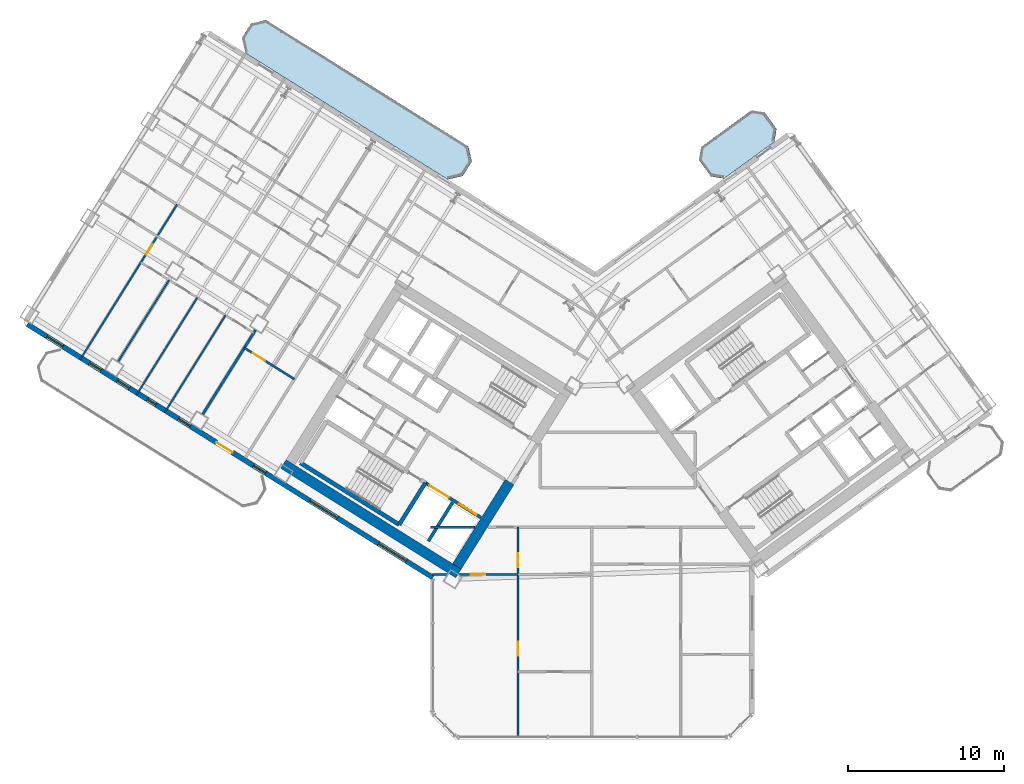
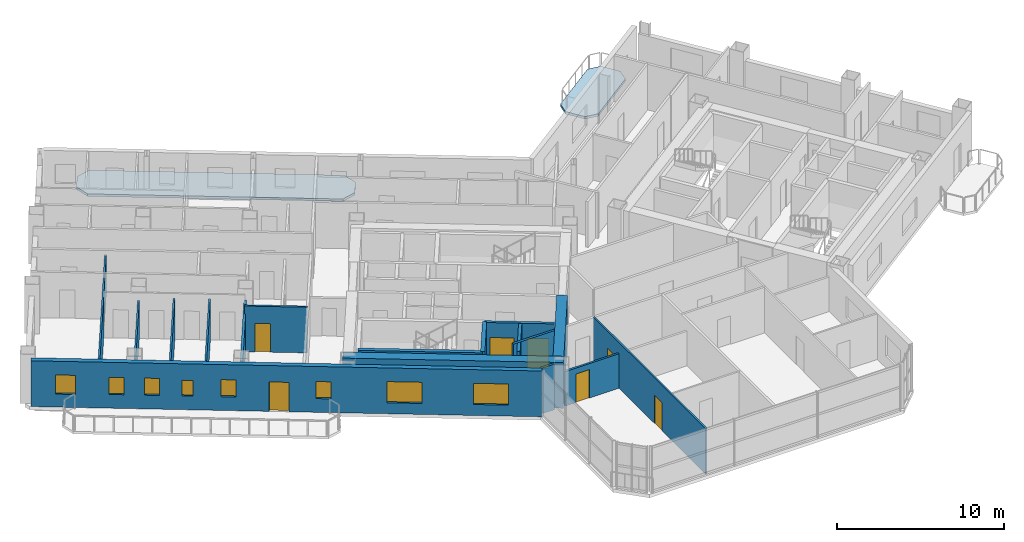
# One storey, part 11 of 21: 17 walls, 8 doors, 8 windows, 2 slabs, 16 openings.
"""IFC4 building model written with IfcOpenShell, lengths in metres."""

from ifc_helpers import new_model, si_unit, direction, frame, frame_2d, origin, place, context, subcontext, project, spatial, polyline, rectangle, outline, extrude, source, transform, mapped, material, layer, layer_set, type_object, element, fill, save


model = new_model("IFC4")

# Units and contexts
model_context = context("Model", 3, precision=1e-05, world=origin(), true_north=direction((0.0, 1.0)))
body_context = subcontext(model_context, "Body", "Model", "MODEL_VIEW")
ifc_project = project(units=[si_unit("LENGTHUNIT", "METRE"), si_unit("AREAUNIT", "SQUARE_METRE"), si_unit("VOLUMEUNIT", "CUBIC_METRE"), si_unit("PLANEANGLEUNIT", "RADIAN"), si_unit("MASSUNIT", "GRAM", prefix="KILO")], contexts=[model_context])

# Site, building, storey
site_placement = place(None, origin())
site = spatial("IfcSite", under=ifc_project, at=site_placement, CompositionType="ELEMENT")
building_placement = place(site_placement, origin())
building = spatial("IfcBuilding", under=site, at=building_placement, Name="Tlacorven Tower", CompositionType="ELEMENT")
storey_placement = place(building_placement, frame((0.0, 0.0, 93.60009765625)))
storey = spatial("IfcBuildingStorey", under=building, at=storey_placement, Name="L23", CompositionType="ELEMENT", Elevation=93.60009765625)

# Slabs
ifc_material_1 = material(Name="Precast concrete C45/55", Category="concrete")
ifc_layer_1 = layer(ifc_material_1, 0.179931640625)
ifc_layer_set_1 = layer_set([ifc_layer_1], Name="Precast concrete C45/55")
slab_type = type_object("IfcSlabType", Name="SL-BAL-180", PredefinedType="USERDEFINED", material=ifc_layer_set_1)
slab_1_placement = place(storey_placement, frame((0.0, 0.0, -0.18017578125)))
element("IfcSlab", 1, at=slab_1_placement, inside=storey, type_object=slab_type, Name="L23 West Wing Balcony Ribbon IN", ObjectType="BALCONY SLAB", PredefinedType="USERDEFINED", context=body_context, shape_type="SweptSolid", body=[
    extrude(outline(polyline([(34.0419921875, 39.835693359375), (21.06689453125, 47.943359375), (20.102294921875, 47.720703125), (19.52197265625, 46.7919921875), (19.744873046875, 45.827392578125), (32.719970703125, 37.7197265625), (33.6845703125, 37.9423828125), (34.2646484375, 38.87109375), (34.0419921875, 39.835693359375)])), origin(), (0.0, 0.0, 1.0), 0.18017578125),
])
slab_2_placement = place(storey_placement, frame((0.0, 0.0, -0.18017578125)))
element("IfcSlab", 2, at=slab_2_placement, inside=storey, type_object=slab_type, Name="L23 East Wing Balcony Ribbon IN", ObjectType="BALCONY SLAB", PredefinedType="USERDEFINED", context=body_context, shape_type="SweptSolid", body=[
    extrude(outline(polyline([(50.433837890625, 37.77880859375), (53.669921875, 40.1298828125), (53.802490234375, 40.968017578125), (53.04150390625, 42.015625), (52.203369140625, 42.1484375), (48.96728515625, 39.79736328125), (48.83447265625, 38.959228515625), (49.595703125, 37.91162109375), (50.433837890625, 37.77880859375)])), origin(), (0.0, 0.0, 1.0), 0.18017578125),
])

# Walls
ifc_material_2 = material(Name="Concrete C60/75", Category="concrete")
ifc_layer_2 = layer(ifc_material_2, 0.64990234375)
ifc_layer_set_2 = layer_set([ifc_layer_2], Name="Concrete C60/75")
wall_type_1 = type_object("IfcWallType", Name="WL-COR-650", PredefinedType="SHEAR", material=ifc_layer_set_2)
wall_1_placement = place(storey_placement, frame((33.40869140625, 12.449951171875, 0.0), z_axis=(0.0, 0.0, 1.0), x_axis=(-0.848051132073, 0.529914405721, 0.0)))
element("IfcWall", 3, at=wall_1_placement, inside=storey, type_object=wall_type_1, Name="L23 W core shear wall S2", PredefinedType="SHEAR", context=body_context, shape_type="SweptSolid", body=[
    extrude(rectangle(XDim=13.239990234375, YDim=0.64990234375, at=frame_2d((6.6201171875, 0.0))), origin(), (0.0, 0.0, 1.0), 3.349853515625),
])
wall_2_placement = place(storey_placement, frame((36.683349609375, 18.30419921875, 0.0), z_axis=(0.0, 0.0, 1.0), x_axis=(-0.529899109053, -0.848060690178, 0.0)))
element("IfcWall", 4, at=wall_2_placement, inside=storey, type_object=wall_type_1, Name="L23 W core end wall E1.2", PredefinedType="SHEAR", context=body_context, shape_type="SweptSolid", body=[
    extrude(rectangle(XDim=6.375244140625, YDim=0.64990234375, at=frame_2d((3.1875, 0.0))), origin(), (0.0, 0.0, 1.0), 3.349853515625),
])
ifc_material_3 = material(Name="Gypsum plasterboard acoustic partition", Category="gypsum")
ifc_layer_3 = layer(ifc_material_3, 0.159912109375)
ifc_layer_set_3 = layer_set([ifc_layer_3], Name="Gypsum plasterboard acoustic partition")
wall_type_2 = type_object("IfcWallType", Name="WL-DEM-160", PredefinedType="PARTITIONING", material=ifc_layer_set_3)
wall_3_placement = place(storey_placement, frame((20.38720703125, 28.060302734375, 0.0), z_axis=(0.0, 0.0, 1.0), x_axis=(-0.529902564924, -0.848058530814, 0.0)))
element("IfcWall", 5, at=wall_3_placement, inside=storey, type_object=wall_type_2, Name="L23 WN Demising Wall 1", PredefinedType="PARTITIONING", context=body_context, shape_type="SweptSolid", body=[
    extrude(rectangle(XDim=6.3759765625, YDim=0.159912109375, at=frame_2d((3.18798828125, 0.0))), origin(), (0.0, 0.0, 1.0), 2.77490234375),
])
wall_4_placement = place(storey_placement, frame((31.60009765625, 15.419921875, 0.0), z_axis=(0.0, 0.0, 1.0), x_axis=(1.0, 0.0, 0.0)))
element("IfcWall", 6, at=wall_4_placement, inside=storey, type_object=wall_type_2, Name="L23 Knuckle Corridor South Wall", PredefinedType="PARTITIONING", context=body_context, shape_type="SweptSolid", body=[
    extrude(rectangle(XDim=2.8662109375, YDim=0.159912109375, at=frame_2d((1.43310546875, 0.0))), origin(), (0.0, 0.0, 1.0), 3.33984375),
])

# Wall, openings, door, windows
ifc_layer_4 = layer(ifc_material_1, 0.320068359375)
ifc_layer_set_4 = layer_set([ifc_layer_4], Name="Precast concrete C45/55")
wall_type_3 = type_object("IfcWallType", Name="WL-EXT-320", PredefinedType="STANDARD", material=ifc_layer_set_4)
wall_5_placement = place(storey_placement, frame((31.760009765625, 12.18310546875, 0.0), z_axis=(0.0, 0.0, 1.0), x_axis=(-0.848047074256, 0.529920899612, 0.0)))
wall_5 = element("IfcWall", 7, at=wall_5_placement, inside=storey, type_object=wall_type_3, Name="L23 Masonry-Frame Recessed Facade Wall 1", PredefinedType="STANDARD", context=body_context, shape_type="SweptSolid", body=[
    extrude(rectangle(XDim=30.652099609375, YDim=0.320068359375, at=frame_2d((15.326171875, 0.0))), origin(), (0.0, 0.0, 1.0), 3.349853515625),
])
opening_1_placement = place(wall_5_placement, frame((15.1533203125, 0.0, 0.0)))
opening_1 = element("IfcOpeningElement", 8, at=opening_1_placement, cuts=wall_5, Name="Opening D05", PredefinedType="OPENING", context=body_context, shape_type="SweptSolid", body=[
    extrude(rectangle(XDim=1.199951171875, YDim=2.14990234375, at=frame_2d((0.60009765625, 1.074951171875))), frame((0.0, 0.169921875, 0.0), z_axis=(0.0, -1.0, 0.0), x_axis=(1.0, 0.0, 0.0)), (0.0, 0.0, 1.0), 0.340087890625),
])
opening_2_placement = place(wall_5_placement, frame((2.002197265625, 0.0, 0.800048828125)))
opening_2 = element("IfcOpeningElement", 9, at=opening_2_placement, cuts=wall_5, Name="Opening WN04", PredefinedType="OPENING", context=body_context, shape_type="SweptSolid", body=[
    extrude(rectangle(XDim=2.10009765625, YDim=1.550048828125, at=frame_2d((1.050048828125, 0.77490234375))), frame((0.0, 0.169921875, 0.0), z_axis=(0.0, -1.0, 0.0), x_axis=(1.0, 0.0, 0.0)), (0.0, 0.0, 1.0), 0.340087890625),
])
opening_3_placement = place(wall_5_placement, frame((7.206298828125, 0.0, 0.800048828125)))
opening_3 = element("IfcOpeningElement", 10, at=opening_3_placement, cuts=wall_5, Name="Opening WN04", PredefinedType="OPENING", context=body_context, shape_type="SweptSolid", body=[
    extrude(rectangle(XDim=2.10009765625, YDim=1.550048828125, at=frame_2d((1.050048828125, 0.77490234375))), frame((0.0, 0.169921875, 0.0), z_axis=(0.0, -1.0, 0.0), x_axis=(1.0, 0.0, 0.0)), (0.0, 0.0, 1.0), 0.340087890625),
])
opening_4_placement = place(wall_5_placement, frame((12.648193359375, 0.0, 1.0)))
opening_4 = element("IfcOpeningElement", 11, at=opening_4_placement, cuts=wall_5, Name="Opening WN05", PredefinedType="OPENING", context=body_context, shape_type="SweptSolid", body=[
    extrude(rectangle(XDim=0.89990234375, YDim=1.25, at=frame_2d((0.449951171875, 0.625))), frame((0.0, 0.169921875, 0.0), z_axis=(0.0, -1.0, 0.0), x_axis=(1.0, 0.0, 0.0)), (0.0, 0.0, 1.0), 0.340087890625),
])
opening_5_placement = place(wall_5_placement, frame((27.974365234375, 0.0, 0.949951171875)))
opening_5 = element("IfcOpeningElement", 12, at=opening_5_placement, cuts=wall_5, Name="Opening WN03", PredefinedType="OPENING", context=body_context, shape_type="SweptSolid", body=[
    extrude(rectangle(XDim=1.199951171875, YDim=1.39990234375, at=frame_2d((0.60009765625, 0.699951171875))), frame((0.0, 0.169921875, 0.0), z_axis=(0.0, -1.0, 0.0), x_axis=(1.0, 0.0, 0.0)), (0.0, 0.0, 1.0), 0.340087890625),
])
opening_6_placement = place(wall_5_placement, frame((18.3466796875, 0.0, 1.0)))
opening_6 = element("IfcOpeningElement", 13, at=opening_6_placement, cuts=wall_5, Name="Opening WN05", PredefinedType="OPENING", context=body_context, shape_type="SweptSolid", body=[
    extrude(rectangle(XDim=0.89990234375, YDim=1.25, at=frame_2d((0.449951171875, 0.625))), frame((0.0, 0.169921875, 0.0), z_axis=(0.0, -1.0, 0.0), x_axis=(1.0, 0.0, 0.0)), (0.0, 0.0, 1.0), 0.340087890625),
])
opening_7_placement = place(wall_5_placement, frame((20.931396484375, 0.0, 1.0)))
opening_7 = element("IfcOpeningElement", 14, at=opening_7_placement, cuts=wall_5, Name="Opening WN21", PredefinedType="OPENING", context=body_context, shape_type="SweptSolid", body=[
    extrude(rectangle(XDim=0.64990234375, YDim=1.14990234375, at=frame_2d((0.324951171875, 0.574951171875))), frame((0.0, 0.169921875, 0.0), z_axis=(0.0, -1.0, 0.0), x_axis=(1.0, 0.0, 0.0)), (0.0, 0.0, 1.0), 0.340087890625),
])
opening_8_placement = place(wall_5_placement, frame((22.937744140625, 0.0, 1.0)))
opening_8 = element("IfcOpeningElement", 15, at=opening_8_placement, cuts=wall_5, Name="Opening WN05", PredefinedType="OPENING", context=body_context, shape_type="SweptSolid", body=[
    extrude(rectangle(XDim=0.89990234375, YDim=1.25, at=frame_2d((0.449951171875, 0.625))), frame((0.0, 0.169921875, 0.0), z_axis=(0.0, -1.0, 0.0), x_axis=(1.0, 0.0, 0.0)), (0.0, 0.0, 1.0), 0.340087890625),
])
opening_9_placement = place(wall_5_placement, frame((25.0693359375, 0.0, 1.0)))
opening_9 = element("IfcOpeningElement", 16, at=opening_9_placement, cuts=wall_5, Name="Opening WN05", PredefinedType="OPENING", context=body_context, shape_type="SweptSolid", body=[
    extrude(rectangle(XDim=0.89990234375, YDim=1.25, at=frame_2d((0.449951171875, 0.625))), frame((0.0, 0.169921875, 0.0), z_axis=(0.0, -1.0, 0.0), x_axis=(1.0, 0.0, 0.0)), (0.0, 0.0, 1.0), 0.340087890625),
])
ifc_material_4 = material(Name="Powder-coated aluminium and timber door", Category="wood")
door_type_1 = type_object("IfcDoorType", Name="DR-EXT-BALC-1200", OperationType="NOTDEFINED", PredefinedType="DOOR", material=ifc_material_4)
shared_shape_1 = source(origin(), body_context, "Body", "SweptSolid", [
    extrude(rectangle(XDim=1.199951171875, YDim=2.14990234375, at=frame_2d((0.60009765625, 1.074951171875))), frame((0.0, 0.02490234375, 0.0), z_axis=(0.0, -1.0, 0.0), x_axis=(1.0, 0.0, 0.0)), (0.0, 0.0, 1.0), 0.050048828125),
])
door_1_placement = place(opening_1_placement, origin())
door_1 = element("IfcDoor", 17, at=door_1_placement, inside=storey, type_object=door_type_1, Name="L23 Outdoor Access Door BAL-L23-W-OUT", OperationType="SINGLE_SWING_LEFT", OverallHeight=2.14990234375, OverallWidth=1.199951171875, PredefinedType="DOOR", context=body_context, shape_type="MappedRepresentation", body=[
    mapped(shared_shape_1, transform((0.0, 0.0, 0.0), scale=1.0)),
])
fill(opening_1, door_1)
ifc_material_5 = material(Name="Dark solar low-E double glazing in anodised aluminium frame", Category="aluminium")
window_type_1 = type_object("IfcWindowType", Name="WN-APT-2100X1750", PartitioningType="SINGLE_PANEL", PredefinedType="WINDOW", material=ifc_material_5)
shared_shape_2 = source(origin(), body_context, "Body", "SweptSolid", [
    extrude(rectangle(XDim=2.10009765625, YDim=1.550048828125, at=frame_2d((1.050048828125, 0.77490234375))), frame((0.0, 0.030029296875, 0.0), z_axis=(0.0, -1.0, 0.0), x_axis=(1.0, 0.0, 0.0)), (0.0, 0.0, 1.0), 0.06005859375),
])
window_1_placement = place(opening_2_placement, origin())
window_1 = element("IfcWindow", 18, at=window_1_placement, inside=storey, type_object=window_type_1, Name="L23 Recessed Masonry-Frame Window L23-01.1", OverallHeight=1.550048828125, OverallWidth=2.10009765625, PartitioningType="SINGLE_PANEL", PredefinedType="WINDOW", context=body_context, shape_type="MappedRepresentation", body=[
    mapped(shared_shape_2, transform((0.0, 0.0, 0.0), scale=1.0)),
])
fill(opening_2, window_1)
window_2_placement = place(opening_3_placement, origin())
window_2 = element("IfcWindow", 19, at=window_2_placement, inside=storey, type_object=window_type_1, Name="L23 Recessed Masonry-Frame Window L23-01.2", OverallHeight=1.550048828125, OverallWidth=2.10009765625, PartitioningType="SINGLE_PANEL", PredefinedType="WINDOW", context=body_context, shape_type="MappedRepresentation", body=[
    mapped(shared_shape_2, transform((0.0, 0.0, 0.0), scale=1.0)),
])
fill(opening_3, window_2)
window_type_2 = type_object("IfcWindowType", Name="WN-APT-1200X1500", PartitioningType="SINGLE_PANEL", PredefinedType="WINDOW", material=ifc_material_5)
shared_shape_3 = source(origin(), body_context, "Body", "SweptSolid", [
    extrude(rectangle(XDim=1.199951171875, YDim=1.39990234375, at=frame_2d((0.60009765625, 0.699951171875))), frame((0.0, 0.030029296875, 0.0), z_axis=(0.0, -1.0, 0.0), x_axis=(1.0, 0.0, 0.0)), (0.0, 0.0, 1.0), 0.06005859375),
])
window_3_placement = place(opening_5_placement, origin())
window_3 = element("IfcWindow", 20, at=window_3_placement, inside=storey, type_object=window_type_2, Name="L23 Recessed Masonry-Frame Window L23-01.4", OverallHeight=1.39990234375, OverallWidth=1.199951171875, PartitioningType="SINGLE_PANEL", PredefinedType="WINDOW", context=body_context, shape_type="MappedRepresentation", body=[
    mapped(shared_shape_3, transform((0.0, 0.0, 0.0), scale=1.0)),
])
fill(opening_5, window_3)
window_type_3 = type_object("IfcWindowType", Name="WN-APT-0900X1350", PartitioningType="SINGLE_PANEL", PredefinedType="WINDOW", material=ifc_material_5)
shared_shape_4 = source(origin(), body_context, "Body", "SweptSolid", [
    extrude(rectangle(XDim=0.89990234375, YDim=1.25, at=frame_2d((0.449951171875, 0.625))), frame((0.0, 0.030029296875, 0.0), z_axis=(0.0, -1.0, 0.0), x_axis=(1.0, 0.0, 0.0)), (0.0, 0.0, 1.0), 0.06005859375),
])
window_4_placement = place(opening_4_placement, origin())
window_4 = element("IfcWindow", 21, at=window_4_placement, inside=storey, type_object=window_type_3, Name="L23 Recessed Masonry-Frame Window L23-01.3", OverallHeight=1.25, OverallWidth=0.89990234375, PartitioningType="SINGLE_PANEL", PredefinedType="WINDOW", context=body_context, shape_type="MappedRepresentation", body=[
    mapped(shared_shape_4, transform((0.0, 0.0, 0.0), scale=1.0)),
])
fill(opening_4, window_4)
window_5_placement = place(opening_6_placement, origin())
window_5 = element("IfcWindow", 22, at=window_5_placement, inside=storey, type_object=window_type_3, Name="L23 Dwelling Daylight Window L23-U02-BD1", OverallHeight=1.25, OverallWidth=0.89990234375, PartitioningType="SINGLE_PANEL", PredefinedType="WINDOW", context=body_context, shape_type="MappedRepresentation", body=[
    mapped(shared_shape_4, transform((0.0, 0.0, 0.0), scale=1.0)),
])
fill(opening_6, window_5)
window_6_placement = place(opening_8_placement, origin())
window_6 = element("IfcWindow", 23, at=window_6_placement, inside=storey, type_object=window_type_3, Name="L23 Dwelling Daylight Window L23-U02-BD3", OverallHeight=1.25, OverallWidth=0.89990234375, PartitioningType="SINGLE_PANEL", PredefinedType="WINDOW", context=body_context, shape_type="MappedRepresentation", body=[
    mapped(shared_shape_4, transform((0.0, 0.0, 0.0), scale=1.0)),
])
fill(opening_8, window_6)
window_7_placement = place(opening_9_placement, origin())
window_7 = element("IfcWindow", 24, at=window_7_placement, inside=storey, type_object=window_type_3, Name="L23 Dwelling Daylight Window L23-U02-BD4", OverallHeight=1.25, OverallWidth=0.89990234375, PartitioningType="SINGLE_PANEL", PredefinedType="WINDOW", context=body_context, shape_type="MappedRepresentation", body=[
    mapped(shared_shape_4, transform((0.0, 0.0, 0.0), scale=1.0)),
])
fill(opening_9, window_7)
window_type_4 = type_object("IfcWindowType", Name="WN-APT-0650X1150", PartitioningType="SINGLE_PANEL", PredefinedType="WINDOW", material=ifc_material_5)
shared_shape_5 = source(origin(), body_context, "Body", "SweptSolid", [
    extrude(rectangle(XDim=0.64990234375, YDim=1.14990234375, at=frame_2d((0.324951171875, 0.574951171875))), frame((0.0, 0.030029296875, 0.0), z_axis=(0.0, -1.0, 0.0), x_axis=(1.0, 0.0, 0.0)), (0.0, 0.0, 1.0), 0.06005859375),
])
window_8_placement = place(opening_7_placement, origin())
window_8 = element("IfcWindow", 25, at=window_8_placement, inside=storey, type_object=window_type_4, Name="L23 Dwelling Daylight Window L23-U02-BD2", OverallHeight=1.14990234375, OverallWidth=0.64990234375, PartitioningType="SINGLE_PANEL", PredefinedType="WINDOW", context=body_context, shape_type="MappedRepresentation", body=[
    mapped(shared_shape_5, transform((0.0, 0.0, 0.0), scale=1.0)),
])
fill(opening_7, window_8)

# Wall, opening, door
ifc_material_6 = material(Name="Gypsum plasterboard partition", Category="gypsum")
ifc_layer_5 = layer(ifc_material_6, 0.110107421875)
ifc_layer_set_5 = layer_set([ifc_layer_5], Name="Gypsum plasterboard partition")
wall_type_4 = type_object("IfcWallType", Name="WL-INT-110", PredefinedType="PARTITIONING", material=ifc_layer_set_5)
wall_6_placement = place(storey_placement, frame((15.361328125, 36.1083984375, 0.0), z_axis=(0.0, 0.0, 1.0), x_axis=(-0.529912802348, -0.848052133956, 0.0)))
wall_6 = element("IfcWall", 26, at=wall_6_placement, inside=storey, type_object=wall_type_4, Name="L23 partition 59", PredefinedType="PARTITIONING", context=body_context, shape_type="SweptSolid", body=[
    extrude(rectangle(XDim=11.7197265625, YDim=0.110107421875, at=frame_2d((5.85986328125, 0.0))), origin(), (0.0, 0.0, 1.0), 2.994873046875),
])
opening_10_placement = place(wall_6_placement, frame((3.0, 0.0, 0.0)))
opening_10 = element("IfcOpeningElement", 27, at=opening_10_placement, cuts=wall_6, Name="Opening D22", PredefinedType="OPENING", context=body_context, shape_type="SweptSolid", body=[
    extrude(rectangle(XDim=0.780029296875, YDim=2.050048828125, at=frame_2d((0.39013671875, 1.02490234375))), frame((0.0, 0.06494140625, 0.0), z_axis=(0.0, -1.0, 0.0), x_axis=(1.0, 0.0, 0.0)), (0.0, 0.0, 1.0), 0.130126953125),
])
door_type_2 = type_object("IfcDoorType", Name="DR-INT-WET-0780", OperationType="NOTDEFINED", PredefinedType="DOOR", material=ifc_material_4)
shared_shape_6 = source(origin(), body_context, "Body", "SweptSolid", [
    extrude(rectangle(XDim=0.780029296875, YDim=2.050048828125, at=frame_2d((0.39013671875, 1.02490234375))), frame((0.0, 0.02490234375, 0.0), z_axis=(0.0, -1.0, 0.0), x_axis=(1.0, 0.0, 0.0)), (0.0, 0.0, 1.0), 0.050048828125),
])
door_2_placement = place(opening_10_placement, origin())
door_2 = element("IfcDoor", 28, at=door_2_placement, inside=storey, type_object=door_type_2, Name="L23 door 029", OperationType="SINGLE_SWING_RIGHT", OverallHeight=2.050048828125, OverallWidth=0.780029296875, PredefinedType="DOOR", context=body_context, shape_type="MappedRepresentation", body=[
    mapped(shared_shape_6, transform((0.0, 0.0, 0.0), scale=1.0)),
])
fill(opening_10, door_2)

# Walls
for number, where, z_axis, x_axis, name in (
    (29, (18.463623046875, 29.005126953125, 0.0), (0.0, 0.0, 1.0), (-0.529927182287, -0.848043148356, 0.0), "L23 partition 65"),
    (30, (16.655517578125, 30.135009765625, 0.0), (0.0, 0.0, 1.0), (-0.529927182287, -0.848043148356, 0.0), "L23 partition 66"),
):
    element("IfcWall", number, at=place(storey_placement, frame(where, z_axis=z_axis, x_axis=x_axis)), inside=storey, type_object=wall_type_4, Name=name, PredefinedType="PARTITIONING", context=body_context, shape_type="SweptSolid", body=[
        extrude(rectangle(XDim=7.340087890625, YDim=0.110107421875, at=frame_2d((3.669921875, 0.0))), origin(), (0.0, 0.0, 1.0), 2.994873046875),
    ])
wall_7_placement = place(storey_placement, frame((14.848388671875, 31.26416015625, 0.0), z_axis=(0.0, 0.0, 1.0), x_axis=(-0.529920534869, -0.848047302174, 0.0)))
element("IfcWall", 31, at=wall_7_placement, inside=storey, type_object=wall_type_4, Name="L23 partition 67", PredefinedType="PARTITIONING", context=body_context, shape_type="SweptSolid", body=[
    extrude(rectangle(XDim=6.157958984375, YDim=0.110107421875, at=frame_2d((3.0791015625, 0.0))), origin(), (0.0, 0.0, 1.0), 2.77490234375),
])

# Wall, openings, doors
wall_8_placement = place(storey_placement, frame((37.221923828125, 1.9599609375, 0.0), z_axis=(0.0, 0.0, 1.0), x_axis=(0.0, 1.0, 0.0)))
wall_8 = element("IfcWall", 32, at=wall_8_placement, inside=storey, type_object=wall_type_4, Name="L23 partition 91", PredefinedType="PARTITIONING", context=body_context, shape_type="SweptSolid", body=[
    extrude(rectangle(XDim=13.4599609375, YDim=0.110107421875, at=frame_2d((6.72998046875, 0.0))), origin(), (0.0, 0.0, 1.0), 3.33984375),
])
opening_11_placement = place(wall_8_placement, frame((5.199951171875, 0.0, 0.0)))
opening_11 = element("IfcOpeningElement", 33, at=opening_11_placement, cuts=wall_8, Name="Opening D12", PredefinedType="OPENING", context=body_context, shape_type="SweptSolid", body=[
    extrude(rectangle(XDim=0.919921875, YDim=2.080078125, at=frame_2d((0.4599609375, 1.0400390625))), frame((0.0, 0.06494140625, 0.0), z_axis=(0.0, -1.0, 0.0), x_axis=(1.0, 0.0, 0.0)), (0.0, 0.0, 1.0), 0.130126953125),
])
opening_12_placement = place(wall_8_placement, frame((10.889892578125, 0.0, 0.0)))
opening_12 = element("IfcOpeningElement", 34, at=opening_12_placement, cuts=wall_8, Name="Opening D13", PredefinedType="OPENING", context=body_context, shape_type="SweptSolid", body=[
    extrude(rectangle(XDim=0.8798828125, YDim=2.080078125, at=frame_2d((0.43994140625, 1.0400390625))), frame((0.0, 0.06494140625, 0.0), z_axis=(0.0, -1.0, 0.0), x_axis=(1.0, 0.0, 0.0)), (0.0, 0.0, 1.0), 0.130126953125),
])
door_type_3 = type_object("IfcDoorType", Name="DR-INT-WET-0880", OperationType="NOTDEFINED", PredefinedType="DOOR", material=ifc_material_4)
shared_shape_7 = source(origin(), body_context, "Body", "SweptSolid", [
    extrude(rectangle(XDim=0.8798828125, YDim=2.080078125, at=frame_2d((0.43994140625, 1.0400390625))), frame((0.0, 0.02490234375, 0.0), z_axis=(0.0, -1.0, 0.0), x_axis=(1.0, 0.0, 0.0)), (0.0, 0.0, 1.0), 0.050048828125),
])
door_3_placement = place(opening_12_placement, origin())
door_3 = element("IfcDoor", 35, at=door_3_placement, inside=storey, type_object=door_type_3, Name="L23 door 058", OperationType="SINGLE_SWING_LEFT", OverallHeight=2.080078125, OverallWidth=0.8798828125, PredefinedType="DOOR", context=body_context, shape_type="MappedRepresentation", body=[
    mapped(shared_shape_7, transform((0.0, 0.0, 0.0), scale=1.0)),
])
fill(opening_12, door_3)
door_type_4 = type_object("IfcDoorType", Name="DR-INT-ROOM-0920", OperationType="NOTDEFINED", PredefinedType="DOOR", material=ifc_material_4)
shared_shape_8 = source(origin(), body_context, "Body", "SweptSolid", [
    extrude(rectangle(XDim=0.919921875, YDim=2.080078125, at=frame_2d((0.4599609375, 1.0400390625))), frame((0.0, 0.02490234375, 0.0), z_axis=(0.0, -1.0, 0.0), x_axis=(1.0, 0.0, 0.0)), (0.0, 0.0, 1.0), 0.050048828125),
])
door_4_placement = place(opening_11_placement, origin())
door_4 = element("IfcDoor", 36, at=door_4_placement, inside=storey, type_object=door_type_4, Name="L23 door 054", OperationType="SINGLE_SWING_LEFT", OverallHeight=2.080078125, OverallWidth=0.919921875, PredefinedType="DOOR", context=body_context, shape_type="MappedRepresentation", body=[
    mapped(shared_shape_8, transform((0.0, 0.0, 0.0), scale=1.0)),
])
fill(opening_11, door_4)

# Wall, opening, door
ifc_material_7 = material(Name="Moisture-resistant gypsum plumbing wall", Category="gypsum")
ifc_layer_6 = layer(ifc_material_7, 0.139892578125)
ifc_layer_set_6 = layer_set([ifc_layer_6], Name="Moisture-resistant gypsum plumbing wall")
wall_type_5 = type_object("IfcWallType", Name="WL-PLM-140", PredefinedType="PLUMBINGWALL", material=ifc_layer_set_6)
wall_9_placement = place(storey_placement, frame((22.886962890625, 24.90869140625, 0.0), z_axis=(0.0, 0.0, 1.0), x_axis=(-0.84803087207, 0.529946827537, 0.0)))
wall_9 = element("IfcWall", 37, at=wall_9_placement, inside=storey, type_object=wall_type_5, Name="L23 partition 57", PredefinedType="PLUMBINGWALL", context=body_context, shape_type="SweptSolid", body=[
    extrude(rectangle(XDim=3.7900390625, YDim=0.139892578125, at=frame_2d((1.89501953125, 0.0))), origin(), (0.0, 0.0, 1.0), 3.33984375),
])
opening_13_placement = place(wall_9_placement, frame((2.22998046875, 0.0, 0.0)))
opening_13 = element("IfcOpeningElement", 38, at=opening_13_placement, cuts=wall_9, Name="Opening D12", PredefinedType="OPENING", context=body_context, shape_type="SweptSolid", body=[
    extrude(rectangle(XDim=0.919921875, YDim=2.080078125, at=frame_2d((0.4599609375, 1.0400390625))), frame((0.0, 0.080078125, 0.0), z_axis=(0.0, -1.0, 0.0), x_axis=(1.0, 0.0, 0.0)), (0.0, 0.0, 1.0), 0.159912109375),
])
door_5_placement = place(opening_13_placement, origin())
door_5 = element("IfcDoor", 39, at=door_5_placement, inside=storey, type_object=door_type_4, Name="L23 door 024", OperationType="SINGLE_SWING_LEFT", OverallHeight=2.080078125, OverallWidth=0.919921875, PredefinedType="DOOR", context=body_context, shape_type="MappedRepresentation", body=[
    mapped(shared_shape_8, transform((0.0, 0.0, 0.0), scale=1.0)),
])
fill(opening_13, door_5)

# Wall
wall_10_placement = place(storey_placement, frame((31.739990234375, 12.389892578125, 0.0), z_axis=(0.0, 0.0, 1.0), x_axis=(1.0, 0.0, 0.0)))
element("IfcWall", 40, at=wall_10_placement, inside=storey, type_object=wall_type_5, Name="L23 partition 92", PredefinedType="PLUMBINGWALL", context=body_context, shape_type="SweptSolid", body=[
    extrude(rectangle(XDim=0.95068359375, YDim=0.139892578125, at=frame_2d((0.475341796875, 0.0))), origin(), (0.0, 0.0, 1.0), 3.33984375),
])

# Wall, opening, door
wall_11_placement = place(storey_placement, frame((33.432861328125, 12.389892578125, 0.0), z_axis=(0.0, 0.0, 1.0), x_axis=(1.0, 0.0, 0.0)))
wall_11 = element("IfcWall", 41, at=wall_11_placement, inside=storey, type_object=wall_type_5, Name="L23 partition 92", PredefinedType="PLUMBINGWALL", context=body_context, shape_type="SweptSolid", body=[
    extrude(rectangle(XDim=3.7890625, YDim=0.139892578125, at=frame_2d((1.89453125, 0.0))), origin(), (0.0, 0.0, 1.0), 2.52490234375),
])
opening_14_placement = place(wall_11_placement, frame((0.76806640625, 0.0, 0.0)))
opening_14 = element("IfcOpeningElement", 42, at=opening_14_placement, cuts=wall_11, Name="Opening D12", PredefinedType="OPENING", context=body_context, shape_type="SweptSolid", body=[
    extrude(rectangle(XDim=0.919921875, YDim=2.080078125, at=frame_2d((0.4599609375, 1.0400390625))), frame((0.0, 0.080078125, 0.0), z_axis=(0.0, -1.0, 0.0), x_axis=(1.0, 0.0, 0.0)), (0.0, 0.0, 1.0), 0.159912109375),
])
door_6_placement = place(opening_14_placement, frame((0.919921875, 0.0, 0.0), z_axis=(0.0, 0.0, 1.0), x_axis=(-1.0, 0.0, 0.0)))
door_6 = element("IfcDoor", 43, at=door_6_placement, inside=storey, type_object=door_type_4, Name="L23 door 057", OperationType="SINGLE_SWING_RIGHT", OverallHeight=2.080078125, OverallWidth=0.919921875, PredefinedType="DOOR", context=body_context, shape_type="MappedRepresentation", body=[
    mapped(shared_shape_8, transform((0.0, 0.0, 0.0), scale=1.0)),
])
fill(opening_14, door_6)

# Wall, openings, doors
ifc_material_8 = material(Name="Concrete C40/50", Category="concrete")
ifc_layer_7 = layer(ifc_material_8, 0.199951171875)
ifc_layer_set_7 = layer_set([ifc_layer_7], Name="Concrete C40/50")
wall_type_6 = type_object("IfcWallType", Name="WL-SHF-200", PredefinedType="STANDARD", material=ifc_layer_set_7)
wall_12_placement = place(storey_placement, frame((34.84814453125, 16.03125, 0.0), z_axis=(0.0, 0.0, 1.0), x_axis=(-0.848044042236, 0.529925751807, 0.0)))
wall_12 = element("IfcWall", 44, at=wall_12_placement, inside=storey, type_object=wall_type_6, Name="L23 Core W Firefighting Lift Shaft Front Wall", PredefinedType="STANDARD", context=body_context, shape_type="SweptSolid", body=[
    extrude(rectangle(XDim=4.197998046875, YDim=0.199951171875, at=frame_2d((2.09912109375, 0.0))), origin(), (0.0, 0.0, 1.0), 3.33984375),
])
opening_15_placement = place(wall_12_placement, frame((0.347900390625, 0.0, 0.0)))
opening_15 = element("IfcOpeningElement", 45, at=opening_15_placement, cuts=wall_12, Name="Opening LD03", PredefinedType="OPENING", context=body_context, shape_type="SweptSolid", body=[
    extrude(rectangle(XDim=1.300048828125, YDim=2.199951171875, at=frame_2d((0.64990234375, 1.10009765625))), frame((0.0, 0.10986328125, 0.0), z_axis=(0.0, -1.0, 0.0), x_axis=(1.0, 0.0, 0.0)), (0.0, 0.0, 1.0), 0.219970703125),
])
opening_16_placement = place(wall_12_placement, frame((2.423095703125, 0.0, 0.0)))
opening_16 = element("IfcOpeningElement", 46, at=opening_16_placement, cuts=wall_12, Name="Opening LD04", PredefinedType="OPENING", context=body_context, shape_type="SweptSolid", body=[
    extrude(rectangle(XDim=1.449951171875, YDim=2.25, at=frame_2d((0.72509765625, 1.125))), frame((0.0, 0.10986328125, 0.0), z_axis=(0.0, -1.0, 0.0), x_axis=(1.0, 0.0, 0.0)), (0.0, 0.0, 1.0), 0.219970703125),
])
ifc_material_9 = material(Name="Fire-rated steel door assembly", Category="steel")
door_type_5 = type_object("IfcDoorType", Name="DR-LFT-SLID-1300", OperationType="DOUBLE_DOOR_SLIDING", PredefinedType="DOOR", material=ifc_material_9)
shared_shape_9 = source(origin(), body_context, "Body", "SweptSolid", [
    extrude(rectangle(XDim=1.300048828125, YDim=2.199951171875, at=frame_2d((0.64990234375, 1.10009765625))), frame((0.0, 0.02490234375, 0.0), z_axis=(0.0, -1.0, 0.0), x_axis=(1.0, 0.0, 0.0)), (0.0, 0.0, 1.0), 0.050048828125),
])
door_7_placement = place(opening_15_placement, origin())
door_7 = element("IfcDoor", 47, at=door_7_placement, inside=storey, type_object=door_type_5, Name="L23 Lift FFL-W1 Sliding Landing Door", OperationType="DOUBLE_DOOR_SLIDING", OverallHeight=2.199951171875, OverallWidth=1.300048828125, PredefinedType="DOOR", context=body_context, shape_type="MappedRepresentation", body=[
    mapped(shared_shape_9, transform((0.0, 0.0, 0.0), scale=1.0)),
])
fill(opening_15, door_7)
door_type_6 = type_object("IfcDoorType", Name="DR-LFT-SLID-1450", OperationType="DOUBLE_DOOR_SLIDING", PredefinedType="DOOR", material=ifc_material_9)
shared_shape_10 = source(origin(), body_context, "Body", "SweptSolid", [
    extrude(rectangle(XDim=1.449951171875, YDim=2.25, at=frame_2d((0.72509765625, 1.125))), frame((0.0, 0.02490234375, 0.0), z_axis=(0.0, -1.0, 0.0), x_axis=(1.0, 0.0, 0.0)), (0.0, 0.0, 1.0), 0.050048828125),
])
door_8_placement = place(opening_16_placement, origin())
door_8 = element("IfcDoor", 48, at=door_8_placement, inside=storey, type_object=door_type_6, Name="L23 Lift SVL-W1 Sliding Landing Door", OperationType="DOUBLE_DOOR_SLIDING", OverallHeight=2.25, OverallWidth=1.449951171875, PredefinedType="DOOR", context=body_context, shape_type="MappedRepresentation", body=[
    mapped(shared_shape_10, transform((0.0, 0.0, 0.0), scale=1.0)),
])
fill(opening_16, door_8)

# Walls
wall_13_placement = place(storey_placement, frame((33.02880859375, 17.003173828125, 0.0), z_axis=(0.0, 0.0, 1.0), x_axis=(-0.529916267533, -0.848049968695, 0.0)))
element("IfcWall", 49, at=wall_13_placement, inside=storey, type_object=wall_type_6, Name="L23 partition 14", PredefinedType="STANDARD", context=body_context, shape_type="SweptSolid", body=[
    extrude(rectangle(XDim=2.919921875, YDim=0.199951171875, at=frame_2d((1.4599609375, 0.0))), origin(), (0.0, 0.0, 1.0), 3.33984375),
])
ifc_material_10 = material(Name="Concrete C50/60", Category="concrete")
ifc_layer_8 = layer(ifc_material_10, 0.260009765625)
ifc_layer_set_8 = layer_set([ifc_layer_8], Name="Concrete C50/60")
wall_type_7 = type_object("IfcWallType", Name="WL-STW-260", PredefinedType="SHEAR", material=ifc_layer_set_8)
wall_14_placement = place(storey_placement, frame((29.60498046875, 15.581298828125, 0.0), z_axis=(0.0, 0.0, 1.0), x_axis=(-0.848036911448, 0.529937163087, 0.0)))
element("IfcWall", 50, at=wall_14_placement, inside=storey, type_object=wall_type_7, Name="L23 Stair W1 Far Shear Wall", PredefinedType="SHEAR", context=body_context, shape_type="SweptSolid", body=[
    extrude(rectangle(XDim=7.4599609375, YDim=0.260009765625, at=frame_2d((3.72998046875, 0.0))), origin(), (0.0, 0.0, 1.0), 3.349853515625),
])
wall_15_placement = place(storey_placement, frame((31.2880859375, 18.255859375, 0.0), z_axis=(0.0, 0.0, 1.0), x_axis=(-0.529943379326, -0.848033026897, 0.0)))
element("IfcWall", 51, at=wall_15_placement, inside=storey, type_object=wall_type_7, Name="L23 Stair W1 West Shear Wall", PredefinedType="SHEAR", context=body_context, shape_type="SweptSolid", body=[
    extrude(rectangle(XDim=3.159912109375, YDim=0.260009765625, at=frame_2d((1.580078125, 0.0))), origin(), (0.0, 0.0, 1.0), 3.349853515625),
])

save(model, "model.ifc")
